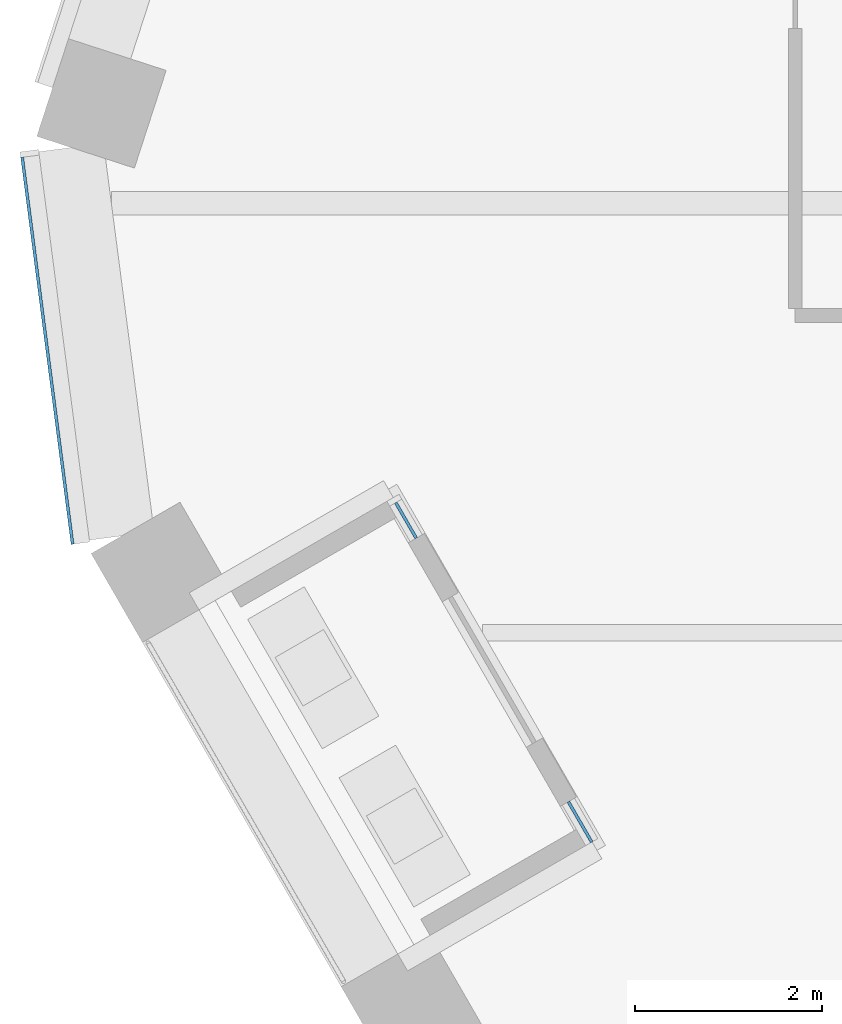
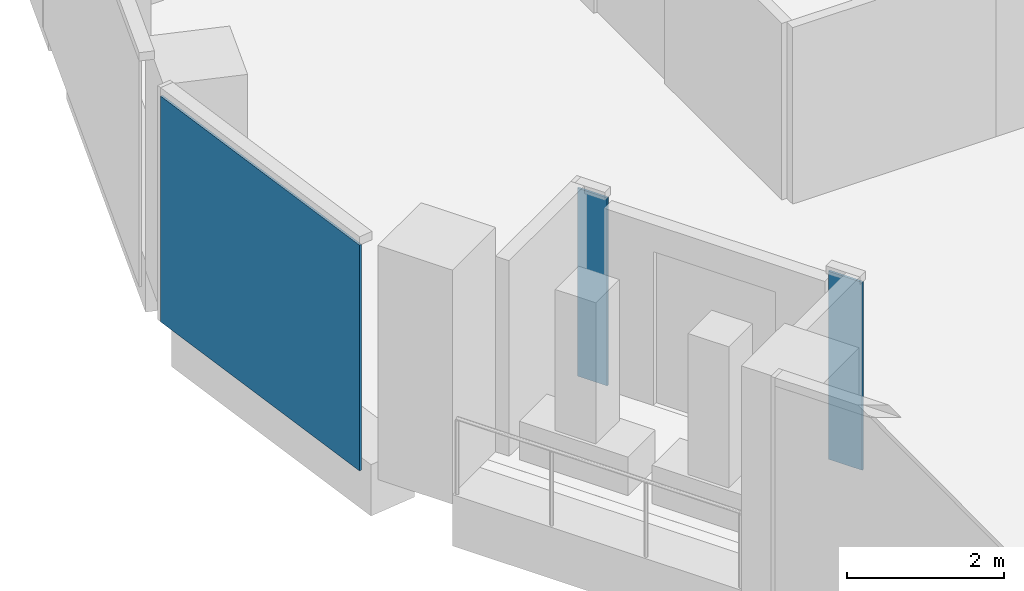
# One storey, part 10 of 24: 3 plates, 2 elements without a shape of their own.
"""IFC4 building model written with IfcOpenShell, lengths in metres."""

from ifc_helpers import new_model, si_unit, direction, frame, origin, origin_2d, place, context, subcontext, project, spatial, rectangle, extrude, material, layer, layer_set, type_object, element, aggregate, save


model = new_model("IFC4")

# Units and contexts
model_context = context("Model", 3, precision=1e-05, world=origin(), true_north=direction((0.0, 1.0)))
body_context = subcontext(model_context, "Body", "Model", "MODEL_VIEW")
ifc_project = project(units=[si_unit("LENGTHUNIT", "METRE"), si_unit("AREAUNIT", "SQUARE_METRE"), si_unit("VOLUMEUNIT", "CUBIC_METRE"), si_unit("PLANEANGLEUNIT", "RADIAN"), si_unit("MASSUNIT", "GRAM", prefix="KILO")], contexts=[model_context])

# Site, building, storey
site_placement = place(None, origin())
site = spatial("IfcSite", under=ifc_project, at=site_placement, CompositionType="ELEMENT")
building_placement = place(site_placement, origin())
building = spatial("IfcBuilding", under=site, at=building_placement, Name="Isthmus Gate Tower", CompositionType="ELEMENT")
storey_placement = place(building_placement, frame((0.0, 0.0, 219.949951171875)))
storey = spatial("IfcBuildingStorey", under=building, at=storey_placement, Name="L55", CompositionType="ELEMENT", Elevation=219.949951171875)

# Curtain wall, plate
ifc_material_1 = material(Name="Aluminium, pale champagne anodised", Category="aluminium")
ifc_layer_1 = layer(ifc_material_1, 0.199951171875)
ifc_layer_set_1 = layer_set([ifc_layer_1], Name="CW-1 UNITISED CURTAIN WALL 200 DEEP")
curtain_wall_type_1 = type_object("IfcCurtainWallType", Name="CW-1 UNITISED CURTAIN WALL 200 DEEP", PredefinedType="NOTDEFINED", material=ifc_layer_set_1)
curtain_wall_1_placement = place(storey_placement, origin())
curtain_wall_1 = element("IfcCurtainWall", 1, at=curtain_wall_1_placement, inside=storey, type_object=curtain_wall_type_1, Name="CW-1 NW-SW L55", PredefinedType="NOTDEFINED")
ifc_material_2 = material(Name="Laminated low-iron glass, pale blue tint", Category="glass")
ifc_layer_2 = layer(ifc_material_2, 0.031982421875)
ifc_layer_set_2 = layer_set([ifc_layer_2], Name="CW-1 CLEAR GLASS LITE 32")
plate_type_1 = type_object("IfcPlateType", Name="CW-1 CLEAR GLASS LITE 32", PredefinedType="CURTAIN_PANEL", material=ifc_layer_set_2)
plate_1_placement = place(storey_placement, frame((-26.014892578125, -3.57958984375, 0.0), z_axis=(0.0, 0.0, 1.0), x_axis=(0.129164534, -0.991623175988, 0.0)))
plate_1 = element("IfcPlate", 2, at=plate_1_placement, type_object=plate_type_1, Name="CW-1 glass lite", PredefinedType="CURTAIN_PANEL", context=body_context, shape_type="SweptSolid", body=[
    extrude(rectangle(XDim=4.181396484375, YDim=0.031982421875, at=origin_2d()), origin(), (0.0, 0.0, 1.0), 3.52001953125),
])
aggregate(curtain_wall_1, [plate_1])

# Curtain wall, plates
ifc_material_3 = material(Name="Aluminium, pale champagne anodised", Category="aluminium")
ifc_layer_3 = layer(ifc_material_3, 0.14990234375)
ifc_layer_set_3 = layer_set([ifc_layer_3], Name="CW-6 LOGGIA BACK WALL GLAZING 150 DEEP")
curtain_wall_type_2 = type_object("IfcCurtainWallType", Name="CW-6 LOGGIA BACK WALL GLAZING 150 DEEP", PredefinedType="NOTDEFINED", material=ifc_layer_set_3)
curtain_wall_2_placement = place(storey_placement, origin())
curtain_wall_2 = element("IfcCurtainWall", 3, at=curtain_wall_2_placement, inside=storey, type_object=curtain_wall_type_2, Name="CW-6 SW L55", PredefinedType="NOTDEFINED")
ifc_material_4 = material(Name="Laminated low-iron glass, clear", Category="glass")
ifc_layer_4 = layer(ifc_material_4, 0.031982421875)
ifc_layer_set_4 = layer_set([ifc_layer_4], Name="CW-6 CLEAR GLASS LITE 32")
plate_type_2 = type_object("IfcPlateType", Name="CW-6 CLEAR GLASS LITE 32", PredefinedType="CURTAIN_PANEL", material=ifc_layer_set_4)
plate_2_placement = place(storey_placement, frame((-22.17138671875, -5.39794921875, 0.0), z_axis=(0.0, 0.0, 1.0), x_axis=(0.5, -0.866025403784, 0.0)))
plate_2 = element("IfcPlate", 4, at=plate_2_placement, type_object=plate_type_2, Name="CW-6 glass lite", PredefinedType="CURTAIN_PANEL", context=body_context, shape_type="SweptSolid", body=[
    extrude(rectangle(XDim=0.43994140625, YDim=0.031982421875, at=origin_2d()), origin(), (0.0, 0.0, 1.0), 2.929931640625),
])
plate_3_placement = place(storey_placement, frame((-20.30615234375, -8.628662109375, 0.0), z_axis=(0.0, 0.0, 1.0), x_axis=(0.5, -0.866025403784, 0.0)))
plate_3 = element("IfcPlate", 5, at=plate_3_placement, type_object=plate_type_2, Name="CW-6 glass lite", PredefinedType="CURTAIN_PANEL", context=body_context, shape_type="SweptSolid", body=[
    extrude(rectangle(XDim=0.5, YDim=0.031982421875, at=origin_2d()), origin(), (0.0, 0.0, 1.0), 2.929931640625),
])
aggregate(curtain_wall_2, [plate_2, plate_3])

save(model, "model.ifc")
